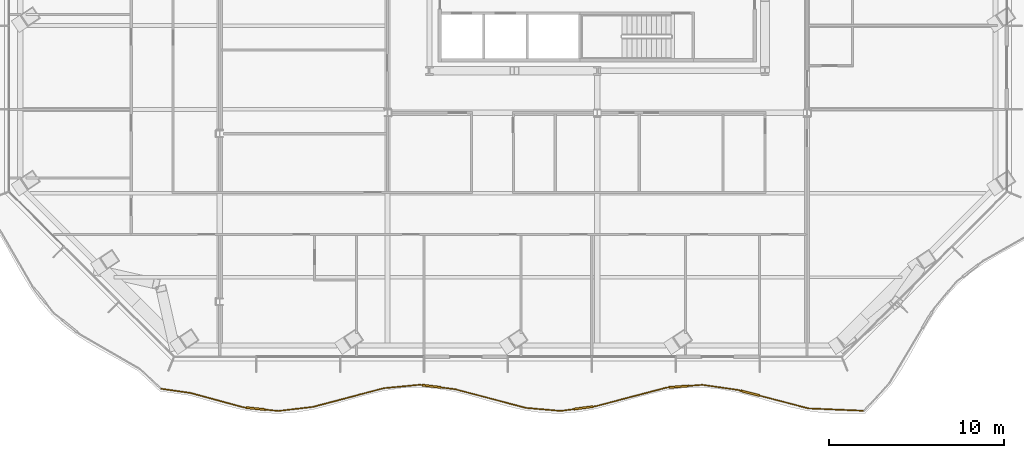
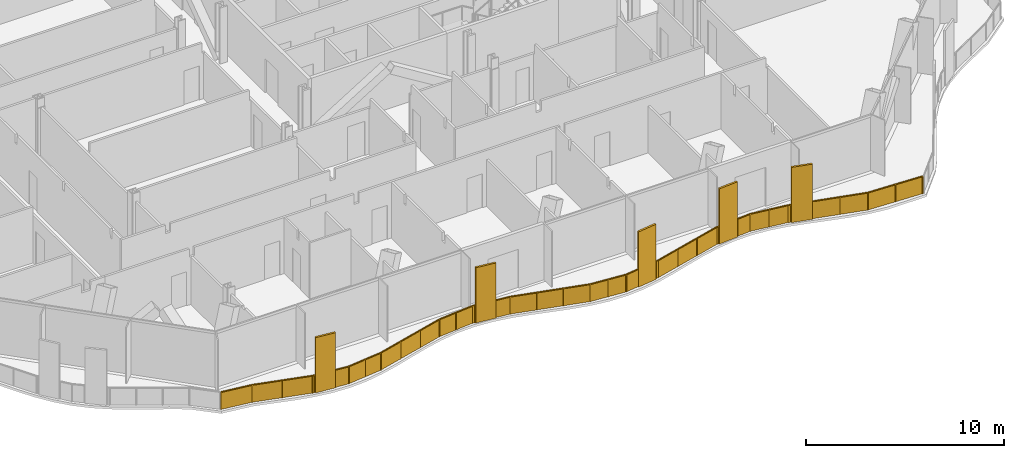
# One storey, part 14 of 19: 1 railing.
"""IFC4 building model written with IfcOpenShell, lengths in metres."""

from ifc_helpers import new_model, si_unit, direction, frame, origin, origin_2d, place, context, subcontext, project, spatial, polyline, rectangle, outline, extrude, material, type_object, element, save


model = new_model("IFC4")

# Units and contexts
model_context = context("Model", 3, precision=1e-05, world=origin(), true_north=direction((0.0, 1.0)))
body_context = subcontext(model_context, "Body", "Model", "MODEL_VIEW")
ifc_project = project(units=[si_unit("LENGTHUNIT", "METRE"), si_unit("AREAUNIT", "SQUARE_METRE"), si_unit("VOLUMEUNIT", "CUBIC_METRE"), si_unit("PLANEANGLEUNIT", "RADIAN"), si_unit("MASSUNIT", "GRAM", prefix="KILO")], contexts=[model_context])

# Site, building, storey
site_placement = place(None, origin())
site = spatial("IfcSite", under=ifc_project, at=site_placement, CompositionType="ELEMENT")
building_placement = place(site_placement, origin())
building = spatial("IfcBuilding", under=site, at=building_placement, Name="Cairn Pilgrim Tower", CompositionType="ELEMENT")
storey_placement = place(building_placement, frame((0.0, 0.0, 97.800048828125)))
storey = spatial("IfcBuildingStorey", under=building, at=storey_placement, Name="L23", CompositionType="ELEMENT", Elevation=97.800048828125)

# Railing
ifc_material = material(Name="Bronze anodised aluminium rail, posts and fin screens with laminated glass infill", Category="aluminium")
railing_type = type_object("IfcRailingType", Name="BALCONY GUARD WITH FIN SCREENS", PredefinedType="GUARDRAIL", material=ifc_material)
railing_placement = place(storey_placement, frame((-17.75732421875, -24.1865234375, 0.0)))
element("IfcRailing", 1, at=railing_placement, inside=storey, type_object=railing_type, Name="Balcony guard BGF-1 with fin screens", PredefinedType="GUARDRAIL", context=body_context, shape_type="SweptSolid", body=[
    extrude(rectangle(XDim=0.050048828125, YDim=0.050048828125, at=origin_2d()), frame((0.0, 0.0, 1.0751953125), z_axis=(0.989952361638, -0.141401278948, 0.0), x_axis=(0.141401278948, 0.989952361638, 0.0)), (0.0, 0.0, 1.0), 1.702392578125),
    extrude(rectangle(XDim=0.050048828125, YDim=0.050048828125, at=origin_2d()), frame((1.685302734375, -0.24072265625, 1.0751953125), z_axis=(0.965048678895, -0.262070691536, 0.0), x_axis=(0.262070691536, 0.965048678895, 0.0)), (0.0, 0.0, 1.0), 3.138427734375),
    extrude(rectangle(XDim=1.10009765625, YDim=0.110107421875, at=origin_2d()), frame((5.410400390625, -1.1357421875, 0.0), z_axis=(0.0, 0.0, 1.0), x_axis=(0.994607152388, -0.103714089778, 0.0)), (0.0, 0.0, 1.0), 3.39990234375),
    extrude(rectangle(XDim=0.050048828125, YDim=0.050048828125, at=origin_2d()), frame((4.714111328125, -1.063232421875, 1.0751953125), z_axis=(0.994607152388, -0.103714089778, 0.0), x_axis=(0.103714089778, 0.994607152388, 0.0)), (0.0, 0.0, 1.0), 0.14990234375),
    extrude(rectangle(XDim=0.050048828125, YDim=0.050048828125, at=origin_2d()), frame((5.957275390625, -1.19287109375, 1.0751953125), z_axis=(0.994607152388, -0.103714089778, 0.0), x_axis=(0.103714089778, 0.994607152388, 0.0)), (0.0, 0.0, 1.0), 0.753173828125),
    extrude(rectangle(XDim=0.050048828125, YDim=0.050048828125, at=origin_2d()), frame((6.70654296875, -1.27099609375, 1.0751953125), z_axis=(0.993176313085, 0.11662251552, 0.0), x_axis=(-0.11662251552, 0.993176313085, 0.0)), (0.0, 0.0, 1.0), 2.007568359375),
    extrude(rectangle(XDim=0.050048828125, YDim=0.050048828125, at=origin_2d()), frame((8.700439453125, -1.036865234375, 1.0751953125), z_axis=(0.966796474004, 0.255547603888, 0.0), x_axis=(-0.255547603888, 0.966796474004, 0.0)), (0.0, 0.0, 1.0), 4.1826171875),
    extrude(rectangle(XDim=0.050048828125, YDim=0.050048828125, at=origin_2d()), frame((12.744140625, 0.031982421875, 1.0751953125), z_axis=(0.995480005826, 0.094971353581, 0.0), x_axis=(-0.094971353581, 0.995480005826, 0.0)), (0.0, 0.0, 1.0), 2.05908203125),
    extrude(rectangle(XDim=1.10009765625, YDim=0.110107421875, at=origin_2d()), frame((15.488525390625, 0.139892578125, 0.0), z_axis=(0.0, 0.0, 1.0), x_axis=(0.992151792003, -0.125039280332, 0.0)), (0.0, 0.0, 1.0), 3.39990234375),
    extrude(rectangle(XDim=0.050048828125, YDim=0.050048828125, at=origin_2d()), frame((14.7939453125, 0.2275390625, 1.0751953125), z_axis=(0.992151792003, -0.125039280332, 0.0), x_axis=(0.125039280332, 0.992151792003, 0.0)), (0.0, 0.0, 1.0), 0.150146484375),
    extrude(rectangle(XDim=0.050048828125, YDim=0.050048828125, at=origin_2d()), frame((16.0341796875, 0.0712890625, 1.0751953125), z_axis=(0.992151792003, -0.125039280332, 0.0), x_axis=(0.125039280332, 0.992151792003, 0.0)), (0.0, 0.0, 1.0), 0.813720703125),
    extrude(rectangle(XDim=0.050048828125, YDim=0.050048828125, at=origin_2d()), frame((16.841552734375, -0.030517578125, 1.0751953125), z_axis=(0.96691157208, -0.255111763306, 0.0), x_axis=(0.255111763306, 0.96691157208, 0.0)), (0.0, 0.0, 1.0), 4.17724609375),
    extrude(rectangle(XDim=0.050048828125, YDim=0.050048828125, at=origin_2d()), frame((20.880615234375, -1.09619140625, 1.0751953125), z_axis=(0.996297197599, -0.085976124922, 0.0), x_axis=(0.085976124922, 0.996297197599, 0.0)), (0.0, 0.0, 1.0), 1.9990234375),
    extrude(rectangle(XDim=1.10009765625, YDim=0.110107421875, at=origin_2d()), frame((24.174072265625, -1.093017578125, 0.0), z_axis=(0.0, 0.0, 1.0), x_axis=(0.991082229327, 0.133251696847, 0.0)), (0.0, 0.0, 1.0), 3.39990234375),
    extrude(rectangle(XDim=0.050048828125, YDim=0.050048828125, at=origin_2d()), frame((22.872314453125, -1.26806640625, 1.0751953125), z_axis=(0.991082229327, 0.133251696847, 0.0), x_axis=(-0.133251696847, 0.991082229327, 0.0)), (0.0, 0.0, 1.0), 0.763427734375),
    extrude(rectangle(XDim=0.050048828125, YDim=0.050048828125, at=origin_2d()), frame((24.71923828125, -1.019775390625, 1.0751953125), z_axis=(0.991082229327, 0.133251696847, 0.0), x_axis=(-0.133251696847, 0.991082229327, 0.0)), (0.0, 0.0, 1.0), 0.150146484375),
    extrude(rectangle(XDim=0.050048828125, YDim=0.050048828125, at=origin_2d()), frame((24.867919921875, -0.999755859375, 1.0751953125), z_axis=(0.967107788, 0.254366912924, 0.0), x_axis=(-0.254366912924, 0.967107788, 0.0)), (0.0, 0.0, 1.0), 4.183837890625),
    extrude(rectangle(XDim=1.10009765625, YDim=0.110107421875, at=origin_2d()), frame((29.612060546875, 0.118408203125, 0.0), z_axis=(0.0, 0.0, 1.0), x_axis=(0.997029299771, 0.077023213374, 0.0)), (0.0, 0.0, 1.0), 3.39990234375),
    extrude(rectangle(XDim=0.050048828125, YDim=0.050048828125, at=origin_2d()), frame((28.9140625, 0.064453125, 1.0751953125), z_axis=(0.997029299771, 0.077023213374, 0.0), x_axis=(-0.077023213374, 0.997029299771, 0.0)), (0.0, 0.0, 1.0), 0.150146484375),
    extrude(rectangle(XDim=0.050048828125, YDim=0.050048828125, at=origin_2d()), frame((30.160400390625, 0.16064453125, 1.0751953125), z_axis=(0.997029299771, 0.077023213374, 0.0), x_axis=(-0.077023213374, 0.997029299771, 0.0)), (0.0, 0.0, 1.0), 0.80712890625),
    extrude(rectangle(XDim=0.050048828125, YDim=0.050048828125, at=origin_2d()), frame((30.965087890625, 0.222900390625, 1.0751953125), z_axis=(0.989968386364, -0.141289044164, 0.0), x_axis=(0.141289044164, 0.989968386364, 0.0)), (0.0, 0.0, 1.0), 2.066650390625),
    extrude(rectangle(XDim=1.10009765625, YDim=0.110107421875, at=origin_2d()), frame((33.7001953125, -0.249755859375, 0.0), z_axis=(0.0, 0.0, 1.0), x_axis=(0.967361291672, -0.253401127414, 0.0)), (0.0, 0.0, 1.0), 3.39990234375),
    extrude(rectangle(XDim=0.050048828125, YDim=0.050048828125, at=origin_2d()), frame((33.010986328125, -0.069091796875, 1.0751953125), z_axis=(0.967361291672, -0.253401127414, 0.0), x_axis=(0.253401127414, 0.967361291672, 0.0)), (0.0, 0.0, 1.0), 0.16259765625),
    extrude(rectangle(XDim=0.050048828125, YDim=0.050048828125, at=origin_2d()), frame((34.232177734375, -0.388916015625, 1.0751953125), z_axis=(0.967361291672, -0.253401127414, 0.0), x_axis=(0.253401127414, 0.967361291672, 0.0)), (0.0, 0.0, 1.0), 2.908203125),
    extrude(rectangle(XDim=0.050048828125, YDim=0.050048828125, at=origin_2d()), frame((37.045654296875, -1.1259765625, 1.0751953125), z_axis=(0.999108466987, -0.042216953881, 0.0), x_axis=(0.042216953881, 0.999108466987, 0.0)), (0.0, 0.0, 1.0), 3.116943359375),
    extrude(rectangle(XDim=0.050048828125, YDim=0.050048828125, at=origin_2d()), origin(), (0.0, 0.0, 1.0), 1.050048828125),
    extrude(rectangle(XDim=0.050048828125, YDim=0.050048828125, at=origin_2d()), frame((1.685302734375, -0.24072265625, 0.0)), (0.0, 0.0, 1.0), 1.050048828125),
    extrude(rectangle(XDim=0.050048828125, YDim=0.050048828125, at=origin_2d()), frame((3.19970703125, -0.65185546875, 0.0)), (0.0, 0.0, 1.0), 1.050048828125),
    extrude(rectangle(XDim=0.050048828125, YDim=0.050048828125, at=origin_2d()), frame((4.714111328125, -1.063232421875, 0.0)), (0.0, 0.0, 1.0), 1.050048828125),
    extrude(rectangle(XDim=0.050048828125, YDim=0.050048828125, at=origin_2d()), frame((4.83837890625, -1.076171875, 0.0)), (0.0, 0.0, 1.0), 1.050048828125),
    extrude(rectangle(XDim=0.050048828125, YDim=0.050048828125, at=origin_2d()), frame((5.982177734375, -1.195556640625, 0.0)), (0.0, 0.0, 1.0), 1.050048828125),
    extrude(rectangle(XDim=0.050048828125, YDim=0.050048828125, at=origin_2d()), frame((6.70654296875, -1.27099609375, 0.0)), (0.0, 0.0, 1.0), 1.050048828125),
    extrude(rectangle(XDim=0.050048828125, YDim=0.050048828125, at=origin_2d()), frame((7.70361328125, -1.15380859375, 0.0)), (0.0, 0.0, 1.0), 1.050048828125),
    extrude(rectangle(XDim=0.050048828125, YDim=0.050048828125, at=origin_2d()), frame((8.700439453125, -1.036865234375, 0.0)), (0.0, 0.0, 1.0), 1.050048828125),
    extrude(rectangle(XDim=0.050048828125, YDim=0.050048828125, at=origin_2d()), frame((10.04833984375, -0.6806640625, 0.0)), (0.0, 0.0, 1.0), 1.050048828125),
    extrude(rectangle(XDim=0.050048828125, YDim=0.050048828125, at=origin_2d()), frame((11.396240234375, -0.32421875, 0.0)), (0.0, 0.0, 1.0), 1.050048828125),
    extrude(rectangle(XDim=0.050048828125, YDim=0.050048828125, at=origin_2d()), frame((12.744140625, 0.031982421875, 0.0)), (0.0, 0.0, 1.0), 1.050048828125),
    extrude(rectangle(XDim=0.050048828125, YDim=0.050048828125, at=origin_2d()), frame((13.76904296875, 0.1298828125, 0.0)), (0.0, 0.0, 1.0), 1.050048828125),
    extrude(rectangle(XDim=0.050048828125, YDim=0.050048828125, at=origin_2d()), frame((14.7939453125, 0.2275390625, 0.0)), (0.0, 0.0, 1.0), 1.050048828125),
    extrude(rectangle(XDim=0.050048828125, YDim=0.050048828125, at=origin_2d()), frame((14.91796875, 0.2119140625, 0.0)), (0.0, 0.0, 1.0), 1.050048828125),
    extrude(rectangle(XDim=0.050048828125, YDim=0.050048828125, at=origin_2d()), frame((16.05908203125, 0.068115234375, 0.0)), (0.0, 0.0, 1.0), 1.050048828125),
    extrude(rectangle(XDim=0.050048828125, YDim=0.050048828125, at=origin_2d()), frame((16.841552734375, -0.030517578125, 0.0)), (0.0, 0.0, 1.0), 1.050048828125),
    extrude(rectangle(XDim=0.050048828125, YDim=0.050048828125, at=origin_2d()), frame((18.18798828125, -0.3857421875, 0.0)), (0.0, 0.0, 1.0), 1.050048828125),
    extrude(rectangle(XDim=0.050048828125, YDim=0.050048828125, at=origin_2d()), frame((19.5341796875, -0.740966796875, 0.0)), (0.0, 0.0, 1.0), 1.050048828125),
    extrude(rectangle(XDim=0.050048828125, YDim=0.050048828125, at=origin_2d()), frame((20.880615234375, -1.09619140625, 0.0)), (0.0, 0.0, 1.0), 1.050048828125),
    extrude(rectangle(XDim=0.050048828125, YDim=0.050048828125, at=origin_2d()), frame((21.87646484375, -1.18212890625, 0.0)), (0.0, 0.0, 1.0), 1.050048828125),
    extrude(rectangle(XDim=0.050048828125, YDim=0.050048828125, at=origin_2d()), frame((22.872314453125, -1.26806640625, 0.0)), (0.0, 0.0, 1.0), 1.050048828125),
    extrude(rectangle(XDim=0.050048828125, YDim=0.050048828125, at=origin_2d()), frame((23.604248046875, -1.169677734375, 0.0)), (0.0, 0.0, 1.0), 1.050048828125),
    extrude(rectangle(XDim=0.050048828125, YDim=0.050048828125, at=origin_2d()), frame((24.743896484375, -1.016357421875, 0.0)), (0.0, 0.0, 1.0), 1.050048828125),
    extrude(rectangle(XDim=0.050048828125, YDim=0.050048828125, at=origin_2d()), frame((24.867919921875, -0.999755859375, 0.0)), (0.0, 0.0, 1.0), 1.050048828125),
    extrude(rectangle(XDim=0.050048828125, YDim=0.050048828125, at=origin_2d()), frame((26.216552734375, -0.64501953125, 0.0)), (0.0, 0.0, 1.0), 1.050048828125),
    extrude(rectangle(XDim=0.050048828125, YDim=0.050048828125, at=origin_2d()), frame((27.5654296875, -0.290283203125, 0.0)), (0.0, 0.0, 1.0), 1.050048828125),
    extrude(rectangle(XDim=0.050048828125, YDim=0.050048828125, at=origin_2d()), frame((28.9140625, 0.064453125, 0.0)), (0.0, 0.0, 1.0), 1.050048828125),
    extrude(rectangle(XDim=0.050048828125, YDim=0.050048828125, at=origin_2d()), frame((29.038818359375, 0.073974609375, 0.0)), (0.0, 0.0, 1.0), 1.050048828125),
    extrude(rectangle(XDim=0.050048828125, YDim=0.050048828125, at=origin_2d()), frame((30.185302734375, 0.16259765625, 0.0)), (0.0, 0.0, 1.0), 1.050048828125),
    extrude(rectangle(XDim=0.050048828125, YDim=0.050048828125, at=origin_2d()), frame((30.965087890625, 0.222900390625, 0.0)), (0.0, 0.0, 1.0), 1.050048828125),
    extrude(rectangle(XDim=0.050048828125, YDim=0.050048828125, at=origin_2d()), frame((31.988037109375, 0.076904296875, 0.0)), (0.0, 0.0, 1.0), 1.050048828125),
    extrude(rectangle(XDim=0.050048828125, YDim=0.050048828125, at=origin_2d()), frame((33.010986328125, -0.069091796875, 0.0)), (0.0, 0.0, 1.0), 1.050048828125),
    extrude(rectangle(XDim=0.050048828125, YDim=0.050048828125, at=origin_2d()), frame((33.14404296875, -0.10400390625, 0.0)), (0.0, 0.0, 1.0), 1.050048828125),
    extrude(rectangle(XDim=0.050048828125, YDim=0.050048828125, at=origin_2d()), frame((34.256591796875, -0.395263671875, 0.0)), (0.0, 0.0, 1.0), 1.050048828125),
    extrude(rectangle(XDim=0.050048828125, YDim=0.050048828125, at=origin_2d()), frame((35.651123046875, -0.7607421875, 0.0)), (0.0, 0.0, 1.0), 1.050048828125),
    extrude(rectangle(XDim=0.050048828125, YDim=0.050048828125, at=origin_2d()), frame((37.045654296875, -1.1259765625, 0.0)), (0.0, 0.0, 1.0), 1.050048828125),
    extrude(rectangle(XDim=0.050048828125, YDim=0.050048828125, at=origin_2d()), frame((38.602783203125, -1.19189453125, 0.0)), (0.0, 0.0, 1.0), 1.050048828125),
    extrude(rectangle(XDim=0.050048828125, YDim=0.050048828125, at=origin_2d()), frame((40.159912109375, -1.257568359375, 0.0)), (0.0, 0.0, 1.0), 1.050048828125),
    extrude(outline(polyline([(0.02490234375, 0.0), (1.677490234375, 0.0), (1.677490234375, 1.050048828125), (0.02490234375, 1.050048828125), (0.02490234375, 0.0)])), frame((0.000732421875, 0.005859375, 0.0), z_axis=(-0.141401278948, -0.989952361638, 0.0), x_axis=(0.989952361638, -0.141401278948, 0.0)), (0.0, 0.0, 1.0), 0.011962890625),
    extrude(outline(polyline([(0.02490234375, 0.0), (1.544189453125, 0.0), (1.544189453125, 1.050048828125), (0.02490234375, 1.050048828125), (0.02490234375, 0.0)])), frame((1.686767578125, -0.23486328125, 0.0), z_axis=(-0.262070691536, -0.965048678895, 0.0), x_axis=(0.965048678895, -0.262070691536, 0.0)), (0.0, 0.0, 1.0), 0.011962890625),
    extrude(outline(polyline([(0.02490234375, 0.0), (1.544189453125, 0.0), (1.544189453125, 1.050048828125), (0.02490234375, 1.050048828125), (0.02490234375, 0.0)])), frame((3.201171875, -0.646240234375, 0.0), z_axis=(-0.262070691536, -0.965048678895, 0.0), x_axis=(0.965048678895, -0.262070691536, 0.0)), (0.0, 0.0, 1.0), 0.011962890625),
    extrude(outline(polyline([(0.02490234375, 0.0), (0.099853515625, 0.0), (0.099853515625, 1.050048828125), (0.02490234375, 1.050048828125), (0.02490234375, 0.0)])), frame((4.71484375, -1.057373046875, 0.0), z_axis=(-0.103714089778, -0.994607152388, 0.0), x_axis=(0.994607152388, -0.103714089778, 0.0)), (0.0, 0.0, 1.0), 0.011962890625),
    extrude(outline(polyline([(0.02490234375, 0.0), (0.703125, 0.0), (0.703125, 1.050048828125), (0.02490234375, 1.050048828125), (0.02490234375, 0.0)])), frame((5.98291015625, -1.189453125, 0.0), z_axis=(-0.103714089778, -0.994607152388, 0.0), x_axis=(0.994607152388, -0.103714089778, 0.0)), (0.0, 0.0, 1.0), 0.011962890625),
    extrude(outline(polyline([(0.02490234375, 0.0), (0.978759765625, 0.0), (0.978759765625, 1.050048828125), (0.02490234375, 1.050048828125), (0.02490234375, 0.0)])), frame((6.705810546875, -1.26513671875, 0.0), z_axis=(0.11662251552, -0.993176313085, 0.0), x_axis=(0.993176313085, 0.11662251552, 0.0)), (0.0, 0.0, 1.0), 0.011962890625),
    extrude(outline(polyline([(0.02490234375, 0.0), (0.978759765625, 0.0), (0.978759765625, 1.050048828125), (0.02490234375, 1.050048828125), (0.02490234375, 0.0)])), frame((7.702880859375, -1.14794921875, 0.0), z_axis=(0.11662251552, -0.993176313085, 0.0), x_axis=(0.993176313085, 0.11662251552, 0.0)), (0.0, 0.0, 1.0), 0.011962890625),
    extrude(outline(polyline([(0.02490234375, 0.0), (1.369140625, 0.0), (1.369140625, 1.050048828125), (0.02490234375, 1.050048828125), (0.02490234375, 0.0)])), frame((8.698974609375, -1.031005859375, 0.0), z_axis=(0.255547603888, -0.966796474004, 0.0), x_axis=(0.966796474004, 0.255547603888, 0.0)), (0.0, 0.0, 1.0), 0.011962890625),
    extrude(outline(polyline([(0.02490234375, 0.0), (1.369140625, 0.0), (1.369140625, 1.050048828125), (0.02490234375, 1.050048828125), (0.02490234375, 0.0)])), frame((10.046875, -0.6748046875, 0.0), z_axis=(0.255547603888, -0.966796474004, 0.0), x_axis=(0.966796474004, 0.255547603888, 0.0)), (0.0, 0.0, 1.0), 0.011962890625),
    extrude(outline(polyline([(0.02490234375, 0.0), (1.369140625, 0.0), (1.369140625, 1.050048828125), (0.02490234375, 1.050048828125), (0.02490234375, 0.0)])), frame((11.394775390625, -0.318603515625, 0.0), z_axis=(0.255547603888, -0.966796474004, 0.0), x_axis=(0.966796474004, 0.255547603888, 0.0)), (0.0, 0.0, 1.0), 0.011962890625),
    extrude(outline(polyline([(0.02490234375, 0.0), (1.004638671875, 0.0), (1.004638671875, 1.050048828125), (0.02490234375, 1.050048828125), (0.02490234375, 0.0)])), frame((12.74365234375, 0.037841796875, 0.0), z_axis=(0.094971353581, -0.995480005826, 0.0), x_axis=(0.995480005826, 0.094971353581, 0.0)), (0.0, 0.0, 1.0), 0.011962890625),
    extrude(outline(polyline([(0.02490234375, 0.0), (1.004638671875, 0.0), (1.004638671875, 1.050048828125), (0.02490234375, 1.050048828125), (0.02490234375, 0.0)])), frame((13.7685546875, 0.1357421875, 0.0), z_axis=(0.094971353581, -0.995480005826, 0.0), x_axis=(0.995480005826, 0.094971353581, 0.0)), (0.0, 0.0, 1.0), 0.011962890625),
    extrude(outline(polyline([(0.02490234375, 0.0), (0.10009765625, 0.0), (0.10009765625, 1.050048828125), (0.02490234375, 1.050048828125), (0.02490234375, 0.0)])), frame((14.794677734375, 0.2333984375, 0.0), z_axis=(-0.125039280332, -0.992151792003, 0.0), x_axis=(0.992151792003, -0.125039280332, 0.0)), (0.0, 0.0, 1.0), 0.011962890625),
    extrude(outline(polyline([(0.02490234375, 0.0), (0.763671875, 0.0), (0.763671875, 1.050048828125), (0.02490234375, 1.050048828125), (0.02490234375, 0.0)])), frame((16.059814453125, 0.073974609375, 0.0), z_axis=(-0.125039280332, -0.992151792003, 0.0), x_axis=(0.992151792003, -0.125039280332, 0.0)), (0.0, 0.0, 1.0), 0.011962890625),
    extrude(outline(polyline([(0.02490234375, 0.0), (1.367431640625, 0.0), (1.367431640625, 1.050048828125), (0.02490234375, 1.050048828125), (0.02490234375, 0.0)])), frame((16.843017578125, -0.024658203125, 0.0), z_axis=(-0.255111763306, -0.96691157208, 0.0), x_axis=(0.96691157208, -0.255111763306, 0.0)), (0.0, 0.0, 1.0), 0.011962890625),
    extrude(outline(polyline([(0.02490234375, 0.0), (1.367431640625, 0.0), (1.367431640625, 1.050048828125), (0.02490234375, 1.050048828125), (0.02490234375, 0.0)])), frame((18.189453125, -0.3798828125, 0.0), z_axis=(-0.255111763306, -0.96691157208, 0.0), x_axis=(0.96691157208, -0.255111763306, 0.0)), (0.0, 0.0, 1.0), 0.011962890625),
    extrude(outline(polyline([(0.02490234375, 0.0), (1.367431640625, 0.0), (1.367431640625, 1.050048828125), (0.02490234375, 1.050048828125), (0.02490234375, 0.0)])), frame((19.535888671875, -0.735107421875, 0.0), z_axis=(-0.255111763306, -0.96691157208, 0.0), x_axis=(0.96691157208, -0.255111763306, 0.0)), (0.0, 0.0, 1.0), 0.011962890625),
    extrude(outline(polyline([(0.02490234375, 0.0), (0.974609375, 0.0), (0.974609375, 1.050048828125), (0.02490234375, 1.050048828125), (0.02490234375, 0.0)])), frame((20.881103515625, -1.09033203125, 0.0), z_axis=(-0.085976124922, -0.996297197599, 0.0), x_axis=(0.996297197599, -0.085976124922, 0.0)), (0.0, 0.0, 1.0), 0.011962890625),
    extrude(outline(polyline([(0.02490234375, 0.0), (0.974609375, 0.0), (0.974609375, 1.050048828125), (0.02490234375, 1.050048828125), (0.02490234375, 0.0)])), frame((21.876953125, -1.17626953125, 0.0), z_axis=(-0.085976124922, -0.996297197599, 0.0), x_axis=(0.996297197599, -0.085976124922, 0.0)), (0.0, 0.0, 1.0), 0.011962890625),
    extrude(outline(polyline([(0.02490234375, 0.0), (0.71337890625, 0.0), (0.71337890625, 1.050048828125), (0.02490234375, 1.050048828125), (0.02490234375, 0.0)])), frame((22.87158203125, -1.26220703125, 0.0), z_axis=(0.133251696847, -0.991082229327, 0.0), x_axis=(0.991082229327, 0.133251696847, 0.0)), (0.0, 0.0, 1.0), 0.011962890625),
    extrude(outline(polyline([(0.02490234375, 0.0), (0.10009765625, 0.0), (0.10009765625, 1.050048828125), (0.02490234375, 1.050048828125), (0.02490234375, 0.0)])), frame((24.7431640625, -1.010498046875, 0.0), z_axis=(0.133251696847, -0.991082229327, 0.0), x_axis=(0.991082229327, 0.133251696847, 0.0)), (0.0, 0.0, 1.0), 0.011962890625),
    extrude(outline(polyline([(0.02490234375, 0.0), (1.36962890625, 0.0), (1.36962890625, 1.050048828125), (0.02490234375, 1.050048828125), (0.02490234375, 0.0)])), frame((24.866455078125, -0.993896484375, 0.0), z_axis=(0.254366912924, -0.967107788, 0.0), x_axis=(0.967107788, 0.254366912924, 0.0)), (0.0, 0.0, 1.0), 0.011962890625),
    extrude(outline(polyline([(0.02490234375, 0.0), (1.36962890625, 0.0), (1.36962890625, 1.050048828125), (0.02490234375, 1.050048828125), (0.02490234375, 0.0)])), frame((26.215087890625, -0.63916015625, 0.0), z_axis=(0.254366912924, -0.967107788, 0.0), x_axis=(0.967107788, 0.254366912924, 0.0)), (0.0, 0.0, 1.0), 0.011962890625),
    extrude(outline(polyline([(0.02490234375, 0.0), (1.36962890625, 0.0), (1.36962890625, 1.050048828125), (0.02490234375, 1.050048828125), (0.02490234375, 0.0)])), frame((27.563720703125, -0.284423828125, 0.0), z_axis=(0.254366912924, -0.967107788, 0.0), x_axis=(0.967107788, 0.254366912924, 0.0)), (0.0, 0.0, 1.0), 0.011962890625),
    extrude(outline(polyline([(0.02490234375, 0.0), (0.10009765625, 0.0), (0.10009765625, 1.050048828125), (0.02490234375, 1.050048828125), (0.02490234375, 0.0)])), frame((28.91357421875, 0.0703125, 0.0), z_axis=(0.077023213374, -0.997029299771, 0.0), x_axis=(0.997029299771, 0.077023213374, 0.0)), (0.0, 0.0, 1.0), 0.011962890625),
    extrude(outline(polyline([(0.02490234375, 0.0), (0.757080078125, 0.0), (0.757080078125, 1.050048828125), (0.02490234375, 1.050048828125), (0.02490234375, 0.0)])), frame((30.184814453125, 0.168701171875, 0.0), z_axis=(0.077023213374, -0.997029299771, 0.0), x_axis=(0.997029299771, 0.077023213374, 0.0)), (0.0, 0.0, 1.0), 0.011962890625),
    extrude(outline(polyline([(0.02490234375, 0.0), (1.00830078125, 0.0), (1.00830078125, 1.050048828125), (0.02490234375, 1.050048828125), (0.02490234375, 0.0)])), frame((30.9658203125, 0.228759765625, 0.0), z_axis=(-0.141289044164, -0.989968386364, 0.0), x_axis=(0.989968386364, -0.141289044164, 0.0)), (0.0, 0.0, 1.0), 0.011962890625),
    extrude(outline(polyline([(0.02490234375, 0.0), (1.00830078125, 0.0), (1.00830078125, 1.050048828125), (0.02490234375, 1.050048828125), (0.02490234375, 0.0)])), frame((31.98876953125, 0.082763671875, 0.0), z_axis=(-0.141289044164, -0.989968386364, 0.0), x_axis=(0.989968386364, -0.141289044164, 0.0)), (0.0, 0.0, 1.0), 0.011962890625),
    extrude(outline(polyline([(0.02490234375, 0.0), (0.112548828125, 0.0), (0.112548828125, 1.050048828125), (0.02490234375, 1.050048828125), (0.02490234375, 0.0)])), frame((33.012451171875, -0.063232421875, 0.0), z_axis=(-0.253401127414, -0.967361291672, 0.0), x_axis=(0.967361291672, -0.253401127414, 0.0)), (0.0, 0.0, 1.0), 0.011962890625),
    extrude(outline(polyline([(0.02490234375, 0.0), (1.41650390625, 0.0), (1.41650390625, 1.050048828125), (0.02490234375, 1.050048828125), (0.02490234375, 0.0)])), frame((34.258056640625, -0.3896484375, 0.0), z_axis=(-0.253401127414, -0.967361291672, 0.0), x_axis=(0.967361291672, -0.253401127414, 0.0)), (0.0, 0.0, 1.0), 0.011962890625),
    extrude(outline(polyline([(0.02490234375, 0.0), (1.41650390625, 0.0), (1.41650390625, 1.050048828125), (0.02490234375, 1.050048828125), (0.02490234375, 0.0)])), frame((35.652587890625, -0.7548828125, 0.0), z_axis=(-0.253401127414, -0.967361291672, 0.0), x_axis=(0.967361291672, -0.253401127414, 0.0)), (0.0, 0.0, 1.0), 0.011962890625),
    extrude(outline(polyline([(0.02490234375, 0.0), (1.533447265625, 0.0), (1.533447265625, 1.050048828125), (0.02490234375, 1.050048828125), (0.02490234375, 0.0)])), frame((37.0458984375, -1.1201171875, 0.0), z_axis=(-0.042216953881, -0.999108466987, 0.0), x_axis=(0.999108466987, -0.042216953881, 0.0)), (0.0, 0.0, 1.0), 0.011962890625),
    extrude(outline(polyline([(0.02490234375, 0.0), (1.533447265625, 0.0), (1.533447265625, 1.050048828125), (0.02490234375, 1.050048828125), (0.02490234375, 0.0)])), frame((38.60302734375, -1.185791015625, 0.0), z_axis=(-0.042216953881, -0.999108466987, 0.0), x_axis=(0.999108466987, -0.042216953881, 0.0)), (0.0, 0.0, 1.0), 0.011962890625),
])

save(model, "model.ifc")
